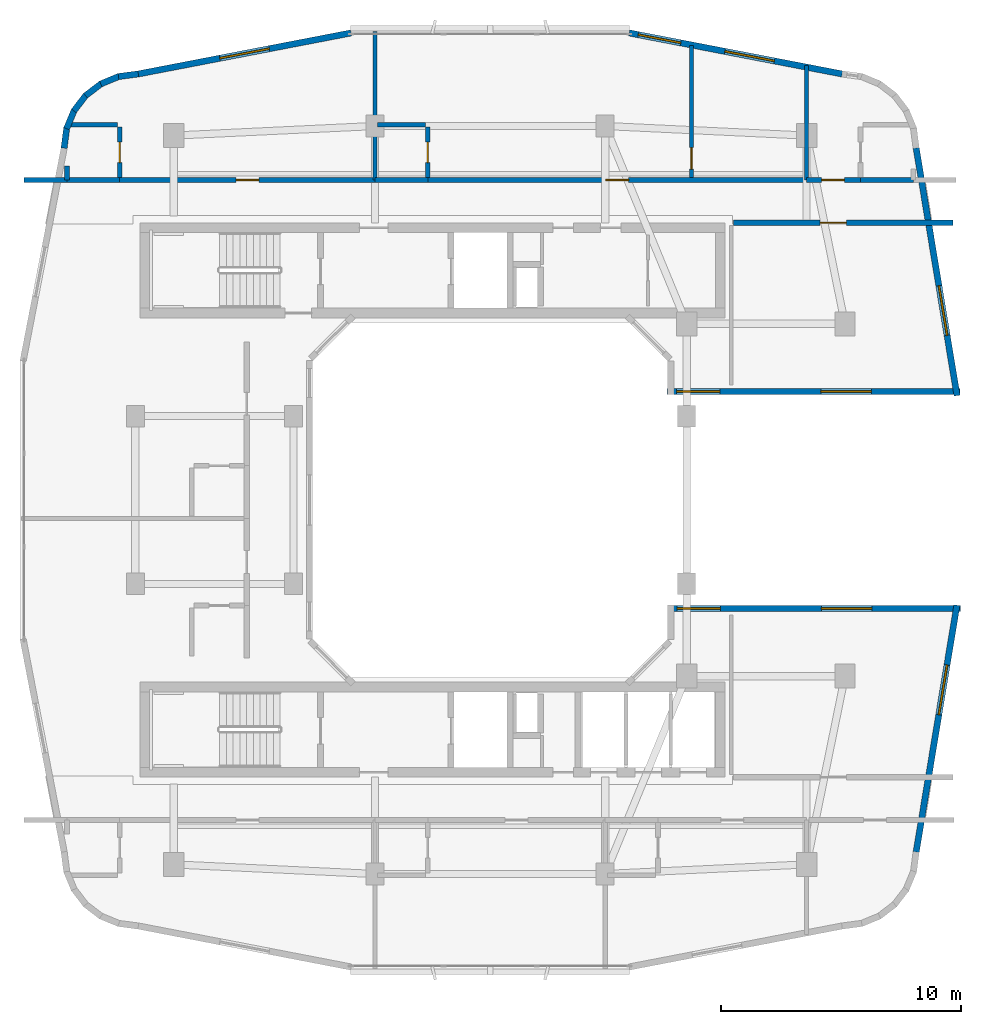
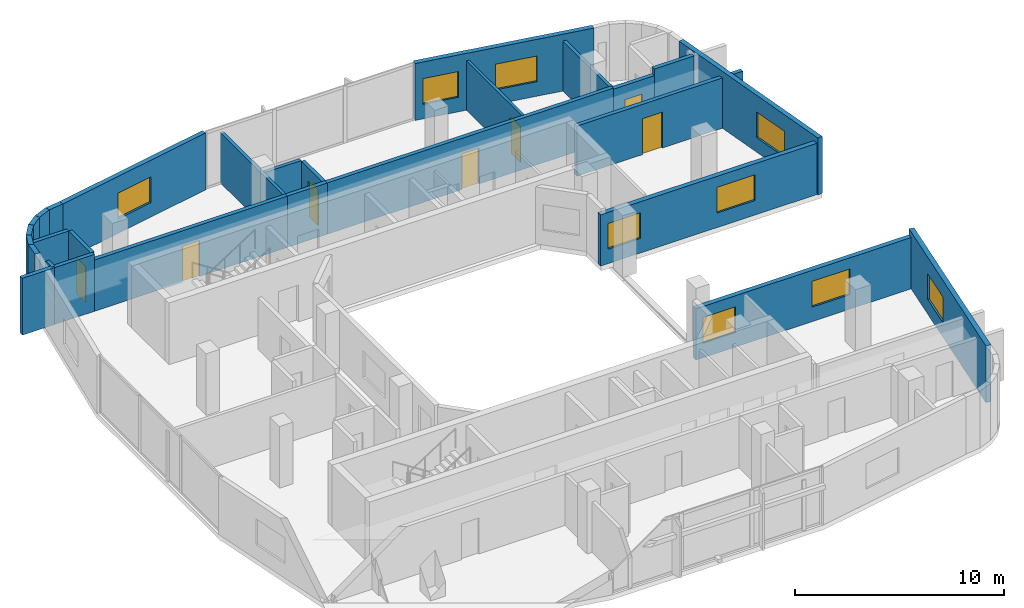
# One storey, part 7 of 12: 28 walls, 9 windows, 7 doors, 16 openings.
"""IFC4 building model written with IfcOpenShell, lengths in metres."""

from ifc_helpers import new_model, si_unit, derived_unit, direction, frame, frame_2d, origin, place, context, subcontext, project, spatial, rectangle, extrude, material, layer, layer_set, type_object, element, fill, save


model = new_model("IFC4")

# Units and contexts
model_context = context("Model", 3, precision=1e-05, world=origin(), true_north=direction((0.0, 1.0)))
body_context = subcontext(model_context, "Body", "Model", "MODEL_VIEW")
ifc_project = project(units=[si_unit("LENGTHUNIT", "METRE"), si_unit("AREAUNIT", "SQUARE_METRE"), si_unit("VOLUMEUNIT", "CUBIC_METRE"), si_unit("PLANEANGLEUNIT", "RADIAN"), si_unit("MASSUNIT", "GRAM", prefix="KILO"), derived_unit("THERMALTRANSMITTANCEUNIT", [(si_unit("POWERUNIT", "WATT"), 1), (si_unit("LENGTHUNIT", "METRE"), -2), (si_unit("THERMODYNAMICTEMPERATUREUNIT", "KELVIN"), -1)])], contexts=[model_context])

# Site, building, storey
site_placement = place(None, origin())
site = spatial("IfcSite", under=ifc_project, at=site_placement, CompositionType="ELEMENT")
building_placement = place(site_placement, origin())
building = spatial("IfcBuilding", under=site, at=building_placement, Name="Kivonza Crest Hotel", CompositionType="ELEMENT")
storey_placement = place(building_placement, frame((0.0, 0.0, 181.10009765625)))
storey = spatial("IfcBuildingStorey", under=building, at=storey_placement, Name="L49", CompositionType="ELEMENT", Elevation=181.10009765625)

# Walls
ifc_material_1 = material(Name="High-density acoustic masonry inter-tenancy wall", Category="masonry")
ifc_layer_1 = layer(ifc_material_1, 0.179931640625)
ifc_layer_set_1 = layer_set([ifc_layer_1], Name="High-density acoustic masonry inter-tenancy wall")
wall_type_1 = type_object("IfcWallType", Name="WL-ACOU-180", PredefinedType="SOLIDWALL", material=ifc_layer_set_1)
wall_1_placement = place(storey_placement, frame((16.199951171875, 38.35009765625, 0.0), z_axis=(0.0, 0.0, 1.0), x_axis=(0.0, 1.0, 0.0)))
element("IfcWall", 1, at=wall_1_placement, inside=storey, type_object=wall_type_1, Name="L49 interior partition WA-L49-T1N-DIV1", PredefinedType="SOLIDWALL", context=body_context, shape_type="SweptSolid", body=[
    extrude(rectangle(XDim=6.18994140625, YDim=0.179931640625, at=frame_2d((3.094970703125, 0.0))), origin(), (0.0, 0.0, 1.0), 2.934814453125),
])
wall_2_placement = place(storey_placement, frame((34.199951171875, 38.35009765625, 0.0), z_axis=(0.0, 0.0, 1.0), x_axis=(0.0, 1.0, 0.0)))
element("IfcWall", 2, at=wall_2_placement, inside=storey, type_object=wall_type_1, Name="L49 interior partition WA-L49-T1N-DIV2", PredefinedType="SOLIDWALL", context=body_context, shape_type="SweptSolid", body=[
    extrude(rectangle(XDim=4.77783203125, YDim=0.179931640625, at=frame_2d((2.388916015625, 0.0))), origin(), (0.0, 0.0, 1.0), 2.934814453125),
])
ifc_material_2 = material(Name="Autoclaved aerated concrete blockwork", Category="masonry")
ifc_layer_2 = layer(ifc_material_2, 0.219970703125)
ifc_layer_set_2 = layer_set([ifc_layer_2], Name="Autoclaved aerated concrete blockwork")
wall_type_2 = type_object("IfcWallType", Name="WL-ACOU-220", PredefinedType="SOLIDWALL", material=ifc_layer_set_2)
wall_3_placement = place(storey_placement, frame((1.56005859375, 38.35009765625, 0.0), z_axis=(0.0, 0.0, 1.0), x_axis=(1.0, 0.0, 0.0)))
element("IfcWall", 3, at=wall_3_placement, inside=storey, type_object=wall_type_2, Name="L49 interior partition WA-L49-N01-XCORR", PredefinedType="SOLIDWALL", context=body_context, shape_type="SweptSolid", body=[
    extrude(rectangle(XDim=1.7900390625, YDim=0.219970703125, at=frame_2d((0.89501953125, 0.0))), origin(), (0.0, 0.0, 1.0), 3.31982421875),
])
wall_4_placement = place(storey_placement, frame((3.35009765625, 38.35009765625, 0.0), z_axis=(0.0, 0.0, 1.0), x_axis=(1.0, 0.0, 0.0)))
element("IfcWall", 4, at=wall_4_placement, inside=storey, type_object=wall_type_2, Name="L49 interior partition WA-L49-N01-BCORR", PredefinedType="SOLIDWALL", context=body_context, shape_type="SweptSolid", body=[
    extrude(rectangle(XDim=2.199951171875, YDim=0.219970703125, at=frame_2d((1.10009765625, 0.0))), origin(), (0.0, 0.0, 1.0), 3.31982421875),
])

# Wall, opening, door
wall_5_placement = place(storey_placement, frame((5.550048828125, 38.35009765625, 0.0), z_axis=(0.0, 0.0, 1.0), x_axis=(1.0, 0.0, 0.0)))
wall_5 = element("IfcWall", 5, at=wall_5_placement, inside=storey, type_object=wall_type_2, Name="L49 interior partition WA-L49-N01-MCORR", PredefinedType="SOLIDWALL", context=body_context, shape_type="SweptSolid", body=[
    extrude(rectangle(XDim=10.64990234375, YDim=0.219970703125, at=frame_2d((5.324951171875, 0.0))), origin(), (0.0, 0.0, 1.0), 2.994873046875),
])
opening_1_placement = place(wall_5_placement, frame((4.85009765625, 0.0, 0.0)))
opening_1 = element("IfcOpeningElement", 6, at=opening_1_placement, cuts=wall_5, Name="Opening DU-60", PredefinedType="OPENING", context=body_context, shape_type="SweptSolid", body=[
    extrude(rectangle(XDim=0.949951171875, YDim=2.10009765625, at=frame_2d((0.47509765625, 1.050048828125))), frame((0.0, 0.1201171875, 0.0), z_axis=(0.0, -1.0, 0.0), x_axis=(1.0, 0.0, 0.0)), (0.0, 0.0, 1.0), 0.239990234375),
])
ifc_material_3 = material(Name="Hardwood timber oak", Category="wood")
door_type_1 = type_object("IfcDoorType", Name="DR-UNIT-950", OperationType="NOTDEFINED", PredefinedType="DOOR", material=ifc_material_3)
door_1_placement = place(opening_1_placement, origin())
door_1 = element("IfcDoor", 7, at=door_1_placement, inside=storey, type_object=door_type_1, Name="L49 N01 guest unit entrance fire door", OperationType="SINGLE_SWING_LEFT", OverallHeight=2.10009765625, OverallWidth=0.949951171875, PredefinedType="DOOR", context=body_context, shape_type="SweptSolid", body=[
    extrude(rectangle(XDim=0.949951171875, YDim=2.10009765625, at=frame_2d((0.47509765625, 1.050048828125))), frame((0.0, 0.02490234375, 0.0), z_axis=(0.0, -1.0, 0.0), x_axis=(1.0, 0.0, 0.0)), (0.0, 0.0, 1.0), 0.050048828125),
])
fill(opening_1, door_1)

# Wall
wall_6_placement = place(storey_placement, frame((16.199951171875, 38.35009765625, 0.0), z_axis=(0.0, 0.0, 1.0), x_axis=(1.0, 0.0, 0.0)))
element("IfcWall", 8, at=wall_6_placement, inside=storey, type_object=wall_type_2, Name="L49 interior partition WA-L49-N02-BCORR", PredefinedType="SOLIDWALL", context=body_context, shape_type="SweptSolid", body=[
    extrude(rectangle(XDim=2.199951171875, YDim=0.219970703125, at=frame_2d((1.10009765625, 0.0))), origin(), (0.0, 0.0, 1.0), 2.994873046875),
])

# Wall, opening, door
wall_7_placement = place(storey_placement, frame((18.39990234375, 38.35009765625, 0.0), z_axis=(0.0, 0.0, 1.0), x_axis=(1.0, 0.0, 0.0)))
wall_7 = element("IfcWall", 9, at=wall_7_placement, inside=storey, type_object=wall_type_2, Name="L49 interior partition WA-L49-N02-MCORR", PredefinedType="SOLIDWALL", context=body_context, shape_type="SweptSolid", body=[
    extrude(rectangle(XDim=15.800048828125, YDim=0.219970703125, at=frame_2d((7.89990234375, 0.0))), origin(), (0.0, 0.0, 1.0), 2.994873046875),
])
opening_2_placement = place(wall_7_placement, frame((7.425048828125, 0.0, 0.0)))
opening_2 = element("IfcOpeningElement", 10, at=opening_2_placement, cuts=wall_7, Name="Opening DU-60", PredefinedType="OPENING", context=body_context, shape_type="SweptSolid", body=[
    extrude(rectangle(XDim=0.949951171875, YDim=2.10009765625, at=frame_2d((0.47509765625, 1.050048828125))), frame((0.0, 0.1201171875, 0.0), z_axis=(0.0, -1.0, 0.0), x_axis=(1.0, 0.0, 0.0)), (0.0, 0.0, 1.0), 0.239990234375),
])
door_2_placement = place(opening_2_placement, origin())
door_2 = element("IfcDoor", 11, at=door_2_placement, inside=storey, type_object=door_type_1, Name="L49 N02 guest unit entrance fire door", OperationType="SINGLE_SWING_RIGHT", OverallHeight=2.10009765625, OverallWidth=0.949951171875, PredefinedType="DOOR", context=body_context, shape_type="SweptSolid", body=[
    extrude(rectangle(XDim=0.949951171875, YDim=2.10009765625, at=frame_2d((0.47509765625, 1.050048828125))), frame((0.0, 0.02490234375, 0.0), z_axis=(0.0, -1.0, 0.0), x_axis=(1.0, 0.0, 0.0)), (0.0, 0.0, 1.0), 0.050048828125),
])
fill(opening_2, door_2)

# Wall
wall_8_placement = place(storey_placement, frame((36.449951171875, 38.35009765625, 0.0), z_axis=(0.0, 0.0, 1.0), x_axis=(1.0, 0.0, 0.0)))
element("IfcWall", 12, at=wall_8_placement, inside=storey, type_object=wall_type_2, Name="L49 interior partition WA-L49-N03-BCORR", PredefinedType="SOLIDWALL", context=body_context, shape_type="SweptSolid", body=[
    extrude(rectangle(XDim=2.199951171875, YDim=0.219970703125, at=frame_2d((1.10009765625, 0.0))), origin(), (0.0, 0.0, 1.0), 3.31982421875),
])

# Wall, opening, door
wall_9_placement = place(storey_placement, frame((34.199951171875, 38.35009765625, 0.0), z_axis=(0.0, 0.0, 1.0), x_axis=(1.0, 0.0, 0.0)))
wall_9 = element("IfcWall", 13, at=wall_9_placement, inside=storey, type_object=wall_type_2, Name="L49 interior partition WA-L49-N03-MCORR", PredefinedType="SOLIDWALL", context=body_context, shape_type="SweptSolid", body=[
    extrude(rectangle(XDim=2.25, YDim=0.219970703125, at=frame_2d((1.125, 0.0))), origin(), (0.0, 0.0, 1.0), 2.934814453125),
])
opening_3_placement = place(wall_9_placement, frame((0.6298828125, 0.0, 0.0)))
opening_3 = element("IfcOpeningElement", 14, at=opening_3_placement, cuts=wall_9, Name="Opening DU-60", PredefinedType="OPENING", context=body_context, shape_type="SweptSolid", body=[
    extrude(rectangle(XDim=0.949951171875, YDim=2.10009765625, at=frame_2d((0.47509765625, 1.050048828125))), frame((0.0, 0.1201171875, 0.0), z_axis=(0.0, -1.0, 0.0), x_axis=(1.0, 0.0, 0.0)), (0.0, 0.0, 1.0), 0.239990234375),
])
door_3_placement = place(opening_3_placement, origin())
door_3 = element("IfcDoor", 15, at=door_3_placement, inside=storey, type_object=door_type_1, Name="L49 N03 guest unit entrance fire door", OperationType="SINGLE_SWING_LEFT", OverallHeight=2.10009765625, OverallWidth=0.949951171875, PredefinedType="DOOR", context=body_context, shape_type="SweptSolid", body=[
    extrude(rectangle(XDim=0.949951171875, YDim=2.10009765625, at=frame_2d((0.47509765625, 1.050048828125))), frame((0.0, 0.02490234375, 0.0), z_axis=(0.0, -1.0, 0.0), x_axis=(1.0, 0.0, 0.0)), (0.0, 0.0, 1.0), 0.050048828125),
])
fill(opening_3, door_3)

wall_10_placement = place(storey_placement, frame((31.14990234375, 36.56005859375, 0.0), z_axis=(0.0, 0.0, 1.0), x_axis=(1.0, 0.0, 0.0)))
wall_10 = element("IfcWall", 16, at=wall_10_placement, inside=storey, type_object=wall_type_2, Name="L49 interior partition WA-L49-EP2-N", PredefinedType="SOLIDWALL", context=body_context, shape_type="SweptSolid", body=[
    extrude(rectangle(XDim=9.150146484375, YDim=0.219970703125, at=frame_2d((4.5751953125, 0.0))), origin(), (0.0, 0.0, 1.0), 2.934814453125),
])
opening_4_placement = place(wall_10_placement, frame((3.612060546875, 0.0, 0.0)))
opening_4 = element("IfcOpeningElement", 17, at=opening_4_placement, cuts=wall_10, Name="Opening DF-60M", PredefinedType="OPENING", context=body_context, shape_type="SweptSolid", body=[
    extrude(rectangle(XDim=1.10009765625, YDim=2.10009765625, at=frame_2d((0.550048828125, 1.050048828125))), frame((0.0, 0.1201171875, 0.0), z_axis=(0.0, -1.0, 0.0), x_axis=(1.0, 0.0, 0.0)), (0.0, 0.0, 1.0), 0.239990234375),
])
door_type_2 = type_object("IfcDoorType", Name="DR-FD60-1100", OperationType="NOTDEFINED", PredefinedType="DOOR", material=ifc_material_3)
door_4_placement = place(opening_4_placement, frame((1.10009765625, 0.0, 0.0), z_axis=(0.0, 0.0, 1.0), x_axis=(-1.0, 0.0, 0.0)))
door_4 = element("IfcDoor", 18, at=door_4_placement, inside=storey, type_object=door_type_2, Name="L49 North Portal Sky Salon door", OperationType="SINGLE_SWING_LEFT", OverallHeight=2.10009765625, OverallWidth=1.10009765625, PredefinedType="DOOR", context=body_context, shape_type="SweptSolid", body=[
    extrude(rectangle(XDim=1.10009765625, YDim=2.10009765625, at=frame_2d((0.550048828125, 1.050048828125))), frame((0.0, 0.02490234375, 0.0), z_axis=(0.0, -1.0, 0.0), x_axis=(1.0, 0.0, 0.0)), (0.0, 0.0, 1.0), 0.050048828125),
])
fill(opening_4, door_4)

# Wall, opening, window
ifc_material_4 = material(Name="Precast concrete C40/50", Category="concrete")
ifc_layer_3 = layer(ifc_material_4, 0.260009765625)
ifc_layer_set_3 = layer_set([ifc_layer_3], Name="Precast concrete C40/50")
wall_type_3 = type_object("IfcWallType", Name="WL-EXT-260", PredefinedType="STANDARD", material=ifc_layer_set_3)
wall_11_placement = place(storey_placement, frame((38.77099609375, 10.31298828125, 0.0), z_axis=(0.0, 0.0, 1.0), x_axis=(0.16277908586, 0.986662540693, 0.0)))
wall_11 = element("IfcWall", 19, at=wall_11_placement, inside=storey, type_object=wall_type_3, Name="L49 T1 exterior insulated wall 16", PredefinedType="STANDARD", context=body_context, shape_type="SweptSolid", body=[
    extrude(rectangle(XDim=10.437255859375, YDim=0.260009765625, at=frame_2d((5.21875, 0.0))), origin(), (0.0, 0.0, 1.0), 3.31982421875),
])
opening_5_placement = place(wall_11_placement, frame((5.81005859375, 0.0, 0.85009765625)))
opening_5 = element("IfcOpeningElement", 20, at=opening_5_placement, cuts=wall_11, Name="Opening WN-04", PredefinedType="OPENING", context=body_context, shape_type="SweptSolid", body=[
    extrude(rectangle(XDim=2.10009765625, YDim=1.5, at=frame_2d((1.050048828125, 0.75))), frame((0.0, 0.14013671875, 0.0), z_axis=(0.0, -1.0, 0.0), x_axis=(1.0, 0.0, 0.0)), (0.0, 0.0, 1.0), 0.280029296875),
])
ifc_material_5 = material(Name="Thermally broken bronze aluminium and low-E double glazing", Category="aluminium")
window_type_1 = type_object("IfcWindowType", Name="WN-210x150", PartitioningType="DOUBLE_PANEL_VERTICAL", PredefinedType="WINDOW", material=ifc_material_5)
window_1_placement = place(opening_5_placement, origin())
window_1 = element("IfcWindow", 21, at=window_1_placement, inside=storey, type_object=window_type_1, Name="L49 T1 facade window 16", OverallHeight=1.5, OverallWidth=2.10009765625, PartitioningType="SINGLE_PANEL", PredefinedType="WINDOW", context=body_context, shape_type="SweptSolid", body=[
    extrude(rectangle(XDim=2.10009765625, YDim=1.5, at=frame_2d((1.050048828125, 0.75))), frame((0.0, 0.030029296875, 0.0), z_axis=(0.0, -1.0, 0.0), x_axis=(1.0, 0.0, 0.0)), (0.0, 0.0, 1.0), 0.06005859375),
])
fill(opening_5, window_1)

# Wall, openings, windows
wall_12_placement = place(storey_placement, frame((40.625, 20.469970703125, 0.0), z_axis=(0.0, 0.0, 1.0), x_axis=(-1.0, 0.0, 0.0)))
wall_12 = element("IfcWall", 22, at=wall_12_placement, inside=storey, type_object=wall_type_3, Name="L49 T1 exterior insulated wall 17", PredefinedType="STANDARD", context=body_context, shape_type="SweptSolid", body=[
    extrude(rectangle(XDim=12.215087890625, YDim=0.260009765625, at=frame_2d((6.107421875, 0.0))), origin(), (0.0, 0.0, 1.0), 2.994873046875),
])
opening_6_placement = place(wall_12_placement, frame((3.70703125, 0.0, 0.85009765625)))
opening_6 = element("IfcOpeningElement", 23, at=opening_6_placement, cuts=wall_12, Name="Opening WN-04", PredefinedType="OPENING", context=body_context, shape_type="SweptSolid", body=[
    extrude(rectangle(XDim=2.10009765625, YDim=1.5, at=frame_2d((1.050048828125, 0.75))), frame((0.0, 0.14013671875, 0.0), z_axis=(0.0, -1.0, 0.0), x_axis=(1.0, 0.0, 0.0)), (0.0, 0.0, 1.0), 0.280029296875),
])
opening_7_placement = place(wall_12_placement, frame((10.02490234375, 0.0, 0.85009765625)))
opening_7 = element("IfcOpeningElement", 24, at=opening_7_placement, cuts=wall_12, Name="Opening WN-03", PredefinedType="OPENING", context=body_context, shape_type="SweptSolid", body=[
    extrude(rectangle(XDim=1.800048828125, YDim=1.5, at=frame_2d((0.89990234375, 0.75))), frame((0.0, 0.14013671875, 0.0), z_axis=(0.0, -1.0, 0.0), x_axis=(1.0, 0.0, 0.0)), (0.0, 0.0, 1.0), 0.280029296875),
])
window_type_2 = type_object("IfcWindowType", Name="WN-180x150", PartitioningType="DOUBLE_PANEL_VERTICAL", PredefinedType="WINDOW", material=ifc_material_5)
window_2_placement = place(opening_7_placement, origin())
window_2 = element("IfcWindow", 25, at=window_2_placement, inside=storey, type_object=window_type_2, Name="L49 T1 facade window 17 bay 2", OverallHeight=1.5, OverallWidth=1.800048828125, PartitioningType="SINGLE_PANEL", PredefinedType="WINDOW", context=body_context, shape_type="SweptSolid", body=[
    extrude(rectangle(XDim=1.800048828125, YDim=1.5, at=frame_2d((0.89990234375, 0.75))), frame((0.0, 0.030029296875, 0.0), z_axis=(0.0, -1.0, 0.0), x_axis=(1.0, 0.0, 0.0)), (0.0, 0.0, 1.0), 0.06005859375),
])
fill(opening_7, window_2)
window_3_placement = place(opening_6_placement, origin())
window_3 = element("IfcWindow", 26, at=window_3_placement, inside=storey, type_object=window_type_1, Name="L49 T1 facade window 17 bay 1", OverallHeight=1.5, OverallWidth=2.10009765625, PartitioningType="SINGLE_PANEL", PredefinedType="WINDOW", context=body_context, shape_type="SweptSolid", body=[
    extrude(rectangle(XDim=2.10009765625, YDim=1.5, at=frame_2d((1.050048828125, 0.75))), frame((0.0, 0.030029296875, 0.0), z_axis=(0.0, -1.0, 0.0), x_axis=(1.0, 0.0, 0.0)), (0.0, 0.0, 1.0), 0.06005859375),
])
fill(opening_6, window_3)

wall_13_placement = place(storey_placement, frame((28.375, 29.530029296875, 0.0), z_axis=(0.0, 0.0, 1.0), x_axis=(1.0, 0.0, 0.0)))
wall_13 = element("IfcWall", 27, at=wall_13_placement, inside=storey, type_object=wall_type_3, Name="L49 T1 exterior insulated wall 27", PredefinedType="STANDARD", context=body_context, shape_type="SweptSolid", body=[
    extrude(rectangle(XDim=12.215087890625, YDim=0.260009765625, at=frame_2d((6.107421875, 0.0))), origin(), (0.0, 0.0, 1.0), 2.994873046875),
])
opening_8_placement = place(wall_13_placement, frame((0.407958984375, 0.0, 0.85009765625)))
opening_8 = element("IfcOpeningElement", 28, at=opening_8_placement, cuts=wall_13, Name="Opening WN-03", PredefinedType="OPENING", context=body_context, shape_type="SweptSolid", body=[
    extrude(rectangle(XDim=1.800048828125, YDim=1.5, at=frame_2d((0.89990234375, 0.75))), frame((0.0, 0.14013671875, 0.0), z_axis=(0.0, -1.0, 0.0), x_axis=(1.0, 0.0, 0.0)), (0.0, 0.0, 1.0), 0.280029296875),
])
opening_9_placement = place(wall_13_placement, frame((6.425048828125, 0.0, 0.85009765625)))
opening_9 = element("IfcOpeningElement", 29, at=opening_9_placement, cuts=wall_13, Name="Opening WN-04", PredefinedType="OPENING", context=body_context, shape_type="SweptSolid", body=[
    extrude(rectangle(XDim=2.10009765625, YDim=1.5, at=frame_2d((1.050048828125, 0.75))), frame((0.0, 0.14013671875, 0.0), z_axis=(0.0, -1.0, 0.0), x_axis=(1.0, 0.0, 0.0)), (0.0, 0.0, 1.0), 0.280029296875),
])
window_4_placement = place(opening_8_placement, origin())
window_4 = element("IfcWindow", 30, at=window_4_placement, inside=storey, type_object=window_type_2, Name="L49 T1 facade window 27 bay 1", OverallHeight=1.5, OverallWidth=1.800048828125, PartitioningType="SINGLE_PANEL", PredefinedType="WINDOW", context=body_context, shape_type="SweptSolid", body=[
    extrude(rectangle(XDim=1.800048828125, YDim=1.5, at=frame_2d((0.89990234375, 0.75))), frame((0.0, 0.030029296875, 0.0), z_axis=(0.0, -1.0, 0.0), x_axis=(1.0, 0.0, 0.0)), (0.0, 0.0, 1.0), 0.06005859375),
])
fill(opening_8, window_4)
window_5_placement = place(opening_9_placement, origin())
window_5 = element("IfcWindow", 31, at=window_5_placement, inside=storey, type_object=window_type_1, Name="L49 T1 facade window 27 bay 2", OverallHeight=1.5, OverallWidth=2.10009765625, PartitioningType="SINGLE_PANEL", PredefinedType="WINDOW", context=body_context, shape_type="SweptSolid", body=[
    extrude(rectangle(XDim=2.10009765625, YDim=1.5, at=frame_2d((1.050048828125, 0.75))), frame((0.0, 0.030029296875, 0.0), z_axis=(0.0, -1.0, 0.0), x_axis=(1.0, 0.0, 0.0)), (0.0, 0.0, 1.0), 0.06005859375),
])
fill(opening_9, window_5)

# Wall, opening, window
wall_14_placement = place(storey_placement, frame((40.47607421875, 29.35400390625, 0.0), z_axis=(0.0, 0.0, 1.0), x_axis=(-0.162811037825, 0.986657268742, 0.0)))
wall_14 = element("IfcWall", 32, at=wall_14_placement, inside=storey, type_object=wall_type_3, Name="L49 T1 exterior insulated wall 28", PredefinedType="STANDARD", context=body_context, shape_type="SweptSolid", body=[
    extrude(rectangle(XDim=10.47265625, YDim=0.260009765625, at=frame_2d((5.236328125, 0.0))), origin(), (0.0, 0.0, 1.0), 3.31982421875),
])
opening_10_placement = place(wall_14_placement, frame((2.544921875, 0.0, 0.85009765625)))
opening_10 = element("IfcOpeningElement", 33, at=opening_10_placement, cuts=wall_14, Name="Opening WN-04", PredefinedType="OPENING", context=body_context, shape_type="SweptSolid", body=[
    extrude(rectangle(XDim=2.10009765625, YDim=1.5, at=frame_2d((1.050048828125, 0.75))), frame((0.0, 0.14013671875, 0.0), z_axis=(0.0, -1.0, 0.0), x_axis=(1.0, 0.0, 0.0)), (0.0, 0.0, 1.0), 0.280029296875),
])
window_6_placement = place(opening_10_placement, origin())
window_6 = element("IfcWindow", 34, at=window_6_placement, inside=storey, type_object=window_type_1, Name="L49 T1 facade window 28", OverallHeight=1.5, OverallWidth=2.10009765625, PartitioningType="SINGLE_PANEL", PredefinedType="WINDOW", context=body_context, shape_type="SweptSolid", body=[
    extrude(rectangle(XDim=2.10009765625, YDim=1.5, at=frame_2d((1.050048828125, 0.75))), frame((0.0, 0.030029296875, 0.0), z_axis=(0.0, -1.0, 0.0), x_axis=(1.0, 0.0, 0.0)), (0.0, 0.0, 1.0), 0.06005859375),
])
fill(opening_10, window_6)

# Wall, openings, windows
wall_15_placement = place(storey_placement, frame((35.68310546875, 42.77001953125, 0.0), z_axis=(0.0, 0.0, 1.0), x_axis=(-0.98192801022, 0.189254809039, 0.0)))
wall_15 = element("IfcWall", 35, at=wall_15_placement, inside=storey, type_object=wall_type_3, Name="L49 T1 exterior insulated wall 35", PredefinedType="STANDARD", context=body_context, shape_type="SweptSolid", body=[
    extrude(rectangle(XDim=9.045654296875, YDim=0.260009765625, at=frame_2d((4.52294921875, 0.0))), origin(), (0.0, 0.0, 1.0), 3.31982421875),
])
opening_11_placement = place(wall_15_placement, frame((2.8798828125, 0.0, 0.85009765625)))
opening_11 = element("IfcOpeningElement", 36, at=opening_11_placement, cuts=wall_15, Name="Opening WN-04", PredefinedType="OPENING", context=body_context, shape_type="SweptSolid", body=[
    extrude(rectangle(XDim=2.10009765625, YDim=1.5, at=frame_2d((1.050048828125, 0.75))), frame((0.0, 0.14013671875, 0.0), z_axis=(0.0, -1.0, 0.0), x_axis=(1.0, 0.0, 0.0)), (0.0, 0.0, 1.0), 0.280029296875),
])
opening_12_placement = place(wall_15_placement, frame((6.85888671875, 0.0, 0.85009765625)))
opening_12 = element("IfcOpeningElement", 37, at=opening_12_placement, cuts=wall_15, Name="Opening WN-03", PredefinedType="OPENING", context=body_context, shape_type="SweptSolid", body=[
    extrude(rectangle(XDim=1.800048828125, YDim=1.5, at=frame_2d((0.89990234375, 0.75))), frame((0.0, 0.14013671875, 0.0), z_axis=(0.0, -1.0, 0.0), x_axis=(1.0, 0.0, 0.0)), (0.0, 0.0, 1.0), 0.280029296875),
])
window_7_placement = place(opening_12_placement, origin())
window_7 = element("IfcWindow", 38, at=window_7_placement, inside=storey, type_object=window_type_2, Name="L49 T1 facade window 35 bay 2", OverallHeight=1.5, OverallWidth=1.800048828125, PartitioningType="SINGLE_PANEL", PredefinedType="WINDOW", context=body_context, shape_type="SweptSolid", body=[
    extrude(rectangle(XDim=1.800048828125, YDim=1.5, at=frame_2d((0.89990234375, 0.75))), frame((0.0, 0.030029296875, 0.0), z_axis=(0.0, -1.0, 0.0), x_axis=(1.0, 0.0, 0.0)), (0.0, 0.0, 1.0), 0.06005859375),
])
fill(opening_12, window_7)
window_8_placement = place(opening_11_placement, origin())
window_8 = element("IfcWindow", 39, at=window_8_placement, inside=storey, type_object=window_type_1, Name="L49 T1 facade window 35 bay 1", OverallHeight=1.5, OverallWidth=2.10009765625, PartitioningType="SINGLE_PANEL", PredefinedType="WINDOW", context=body_context, shape_type="SweptSolid", body=[
    extrude(rectangle(XDim=2.10009765625, YDim=1.5, at=frame_2d((1.050048828125, 0.75))), frame((0.0, 0.030029296875, 0.0), z_axis=(0.0, -1.0, 0.0), x_axis=(1.0, 0.0, 0.0)), (0.0, 0.0, 1.0), 0.06005859375),
])
fill(opening_11, window_8)

# Wall, opening, window
wall_16_placement = place(storey_placement, frame((15.198974609375, 44.48193359375, 0.0), z_axis=(0.0, 0.0, 1.0), x_axis=(-0.98192801022, -0.189254809039, 0.0)))
wall_16 = element("IfcWall", 40, at=wall_16_placement, inside=storey, type_object=wall_type_3, Name="L49 T1 exterior insulated wall 37", PredefinedType="STANDARD", context=body_context, shape_type="SweptSolid", body=[
    extrude(rectangle(XDim=9.045654296875, YDim=0.260009765625, at=frame_2d((4.52294921875, 0.0))), origin(), (0.0, 0.0, 1.0), 3.31982421875),
])
opening_13_placement = place(wall_16_placement, frame((3.472900390625, 0.0, 0.85009765625)))
opening_13 = element("IfcOpeningElement", 41, at=opening_13_placement, cuts=wall_16, Name="Opening WN-04", PredefinedType="OPENING", context=body_context, shape_type="SweptSolid", body=[
    extrude(rectangle(XDim=2.10009765625, YDim=1.5, at=frame_2d((1.050048828125, 0.75))), frame((0.0, 0.14013671875, 0.0), z_axis=(0.0, -1.0, 0.0), x_axis=(1.0, 0.0, 0.0)), (0.0, 0.0, 1.0), 0.280029296875),
])
window_9_placement = place(opening_13_placement, origin())
window_9 = element("IfcWindow", 42, at=window_9_placement, inside=storey, type_object=window_type_1, Name="L49 T1 facade window 37", OverallHeight=1.5, OverallWidth=2.10009765625, PartitioningType="SINGLE_PANEL", PredefinedType="WINDOW", context=body_context, shape_type="SweptSolid", body=[
    extrude(rectangle(XDim=2.10009765625, YDim=1.5, at=frame_2d((1.050048828125, 0.75))), frame((0.0, 0.030029296875, 0.0), z_axis=(0.0, -1.0, 0.0), x_axis=(1.0, 0.0, 0.0)), (0.0, 0.0, 1.0), 0.06005859375),
])
fill(opening_13, window_9)

# Walls
wall_17_placement = place(storey_placement, frame((6.324951171875, 42.77197265625, 0.0), z_axis=(0.0, 0.0, 1.0), x_axis=(-0.99142134712, -0.130704676564, 0.0)))
element("IfcWall", 43, at=wall_17_placement, inside=storey, type_object=wall_type_3, Name="L49 T1 exterior insulated wall 38", PredefinedType="STANDARD", context=body_context, shape_type="SweptSolid", body=[
    extrude(rectangle(XDim=0.8330078125, YDim=0.260009765625, at=frame_2d((0.41650390625, 0.0))), origin(), (0.0, 0.0, 1.0), 3.31982421875),
])
wall_18_placement = place(storey_placement, frame((5.544921875, 42.680908203125, 0.0), z_axis=(0.0, 0.0, 1.0), x_axis=(-0.923712395518, -0.383086687796, 0.0)))
element("IfcWall", 44, at=wall_18_placement, inside=storey, type_object=wall_type_3, Name="L49 T1 exterior insulated wall 39", PredefinedType="STANDARD", context=body_context, shape_type="SweptSolid", body=[
    extrude(rectangle(XDim=0.850830078125, YDim=0.260009765625, at=frame_2d((0.42529296875, 0.0))), origin(), (0.0, 0.0, 1.0), 3.31982421875),
])
for number, where, z_axis, x_axis, name in (
    (45, (4.799072265625, 42.383056640625, 0.0), (0.0, 0.0, 1.0), (-0.793860452124, -0.608099977432, 0.0), "L49 T1 exterior insulated wall 40"),
    (46, (4.155029296875, 41.904052734375, 0.0), (0.0, 0.0, 1.0), (-0.608099977432, -0.793860452124, 0.0), "L49 T1 exterior insulated wall 41"),
):
    element("IfcWall", number, at=place(storey_placement, frame(where, z_axis=z_axis, x_axis=x_axis)), inside=storey, type_object=wall_type_3, Name=name, PredefinedType="STANDARD", context=body_context, shape_type="SweptSolid", body=[
        extrude(rectangle(XDim=0.850341796875, YDim=0.260009765625, at=frame_2d((0.42529296875, 0.0))), origin(), (0.0, 0.0, 1.0), 3.31982421875),
    ])
wall_19_placement = place(storey_placement, frame((3.658935546875, 41.27294921875, 0.0), z_axis=(0.0, 0.0, 1.0), x_axis=(-0.383086687796, -0.923712395518, 0.0)))
element("IfcWall", 47, at=wall_19_placement, inside=storey, type_object=wall_type_3, Name="L49 T1 exterior insulated wall 42", PredefinedType="STANDARD", context=body_context, shape_type="SweptSolid", body=[
    extrude(rectangle(XDim=0.850830078125, YDim=0.260009765625, at=frame_2d((0.42529296875, 0.0))), origin(), (0.0, 0.0, 1.0), 3.31982421875),
])
wall_20_placement = place(storey_placement, frame((3.341064453125, 40.535888671875, 0.0), z_axis=(0.0, 0.0, 1.0), x_axis=(-0.130192647656, -0.991488716273, 0.0)))
element("IfcWall", 48, at=wall_20_placement, inside=storey, type_object=wall_type_3, Name="L49 T1 exterior insulated wall 43", PredefinedType="STANDARD", context=body_context, shape_type="SweptSolid", body=[
    extrude(rectangle(XDim=0.8681640625, YDim=0.260009765625, at=frame_2d((0.43408203125, 0.0))), origin(), (0.0, 0.0, 1.0), 3.31982421875),
])

# Wall, opening, door
ifc_material_6 = material(Name="Twin-stud acoustic gypsum board partition", Category="gypsum")
ifc_layer_4 = layer(ifc_material_6, 0.14990234375)
ifc_layer_set_4 = layer_set([ifc_layer_4], Name="Twin-stud acoustic gypsum board partition")
wall_type_4 = type_object("IfcWallType", Name="WL-PART-150", PredefinedType="PARTITIONING", material=ifc_layer_set_4)
wall_21_placement = place(storey_placement, frame((29.39990234375, 38.449951171875, 0.0), z_axis=(0.0, 0.0, 1.0), x_axis=(0.0, 1.0, 0.0)))
wall_21 = element("IfcWall", 49, at=wall_21_placement, inside=storey, type_object=wall_type_4, Name="L49 interior partition WP-L49-N02-SPSP", PredefinedType="PARTITIONING", context=body_context, shape_type="SweptSolid", body=[
    extrude(rectangle(XDim=5.5029296875, YDim=0.14990234375, at=frame_2d((2.75146484375, 0.0))), origin(), (0.0, 0.0, 1.0), 2.89501953125),
])
opening_14_placement = place(wall_21_placement, frame((0.35009765625, 0.0, 0.0)))
opening_14 = element("IfcOpeningElement", 50, at=opening_14_placement, cuts=wall_21, Name="Opening DI-90", PredefinedType="OPENING", context=body_context, shape_type="SweptSolid", body=[
    extrude(rectangle(XDim=0.89990234375, YDim=2.10009765625, at=frame_2d((0.449951171875, 1.050048828125))), frame((0.0, 0.0849609375, 0.0), z_axis=(0.0, -1.0, 0.0), x_axis=(1.0, 0.0, 0.0)), (0.0, 0.0, 1.0), 0.169921875),
])
door_type_3 = type_object("IfcDoorType", Name="DR-INT-900", OperationType="NOTDEFINED", PredefinedType="DOOR", material=ifc_material_3)
door_5_placement = place(opening_14_placement, origin())
door_5 = element("IfcDoor", 51, at=door_5_placement, inside=storey, type_object=door_type_3, Name="L49 N02 suite bedroom door", OperationType="SINGLE_SWING_LEFT", OverallHeight=2.10009765625, OverallWidth=0.89990234375, PredefinedType="DOOR", context=body_context, shape_type="SweptSolid", body=[
    extrude(rectangle(XDim=0.89990234375, YDim=2.10009765625, at=frame_2d((0.449951171875, 1.050048828125))), frame((0.0, 0.02490234375, 0.0), z_axis=(0.0, -1.0, 0.0), x_axis=(1.0, 0.0, 0.0)), (0.0, 0.0, 1.0), 0.050048828125),
])
fill(opening_14, door_5)

ifc_material_7 = material(Name="Moisture-resistant plumbing chase partition wall", Category="gypsum")
ifc_layer_5 = layer(ifc_material_7, 0.199951171875)
ifc_layer_set_5 = layer_set([ifc_layer_5], Name="Moisture-resistant plumbing chase partition wall")
wall_type_5 = type_object("IfcWallType", Name="WL-PLUMB-200", PredefinedType="PLUMBINGWALL", material=ifc_layer_set_5)
wall_22_placement = place(storey_placement, frame((5.550048828125, 38.449951171875, 0.0), z_axis=(0.0, 0.0, 1.0), x_axis=(0.0, 1.0, 0.0)))
wall_22 = element("IfcWall", 52, at=wall_22_placement, inside=storey, type_object=wall_type_5, Name="L49 interior partition WW-L49-N01-BV", PredefinedType="PLUMBINGWALL", context=body_context, shape_type="SweptSolid", body=[
    extrude(rectangle(XDim=2.10009765625, YDim=0.199951171875, at=frame_2d((1.050048828125, 0.0))), origin(), (0.0, 0.0, 1.0), 3.31982421875),
])
opening_15_placement = place(wall_22_placement, frame((0.625, 0.0, 0.0)))
opening_15 = element("IfcOpeningElement", 53, at=opening_15_placement, cuts=wall_22, Name="Opening DI-85", PredefinedType="OPENING", context=body_context, shape_type="SweptSolid", body=[
    extrude(rectangle(XDim=0.85009765625, YDim=2.10009765625, at=frame_2d((0.425048828125, 1.050048828125))), frame((0.0, 0.10986328125, 0.0), z_axis=(0.0, -1.0, 0.0), x_axis=(1.0, 0.0, 0.0)), (0.0, 0.0, 1.0), 0.219970703125),
])
door_type_4 = type_object("IfcDoorType", Name="DR-INT-850", OperationType="NOTDEFINED", PredefinedType="DOOR", material=ifc_material_3)
door_6_placement = place(opening_15_placement, frame((0.85009765625, 0.0, 0.0), z_axis=(0.0, 0.0, 1.0), x_axis=(-1.0, 0.0, 0.0)))
door_6 = element("IfcDoor", 54, at=door_6_placement, inside=storey, type_object=door_type_4, Name="L49 N01 en-suite bathroom door", OperationType="SINGLE_SWING_RIGHT", OverallHeight=2.10009765625, OverallWidth=0.85009765625, PredefinedType="DOOR", context=body_context, shape_type="SweptSolid", body=[
    extrude(rectangle(XDim=0.85009765625, YDim=2.10009765625, at=frame_2d((0.425048828125, 1.050048828125))), frame((0.0, 0.02490234375, 0.0), z_axis=(0.0, -1.0, 0.0), x_axis=(1.0, 0.0, 0.0)), (0.0, 0.0, 1.0), 0.050048828125),
])
fill(opening_15, door_6)

# Walls
wall_23_placement = place(storey_placement, frame((3.449951171875, 40.64990234375, 0.0), z_axis=(0.0, 0.0, 1.0), x_axis=(1.0, 0.0, 0.0)))
element("IfcWall", 55, at=wall_23_placement, inside=storey, type_object=wall_type_5, Name="L49 interior partition WW-L49-N01-BH", PredefinedType="PLUMBINGWALL", context=body_context, shape_type="SweptSolid", body=[
    extrude(rectangle(XDim=2.0, YDim=0.199951171875, at=frame_2d((1.0, 0.0))), origin(), (0.0, 0.0, 1.0), 3.31982421875),
])
wall_24_placement = place(storey_placement, frame((3.35009765625, 38.35009765625, 0.0), z_axis=(0.0, 0.0, 1.0), x_axis=(0.0, 1.0, 0.0)))
element("IfcWall", 56, at=wall_24_placement, inside=storey, type_object=wall_type_5, Name="L49 interior partition WW-L49-N01-BVW", PredefinedType="PLUMBINGWALL", context=body_context, shape_type="SweptSolid", body=[
    extrude(rectangle(XDim=0.576904296875, YDim=0.199951171875, at=frame_2d((0.28857421875, 0.0))), origin(), (0.0, 0.0, 1.0), 3.31982421875),
])

# Wall, opening, door
wall_25_placement = place(storey_placement, frame((18.39990234375, 38.449951171875, 0.0), z_axis=(0.0, 0.0, 1.0), x_axis=(0.0, 1.0, 0.0)))
wall_25 = element("IfcWall", 57, at=wall_25_placement, inside=storey, type_object=wall_type_5, Name="L49 interior partition WW-L49-N02-BV", PredefinedType="PLUMBINGWALL", context=body_context, shape_type="SweptSolid", body=[
    extrude(rectangle(XDim=2.10009765625, YDim=0.199951171875, at=frame_2d((1.050048828125, 0.0))), origin(), (0.0, 0.0, 1.0), 2.89501953125),
])
opening_16_placement = place(wall_25_placement, frame((0.625, 0.0, 0.0)))
opening_16 = element("IfcOpeningElement", 58, at=opening_16_placement, cuts=wall_25, Name="Opening DI-85", PredefinedType="OPENING", context=body_context, shape_type="SweptSolid", body=[
    extrude(rectangle(XDim=0.85009765625, YDim=2.10009765625, at=frame_2d((0.425048828125, 1.050048828125))), frame((0.0, 0.10986328125, 0.0), z_axis=(0.0, -1.0, 0.0), x_axis=(1.0, 0.0, 0.0)), (0.0, 0.0, 1.0), 0.219970703125),
])
door_7_placement = place(opening_16_placement, frame((0.85009765625, 0.0, 0.0), z_axis=(0.0, 0.0, 1.0), x_axis=(-1.0, 0.0, 0.0)))
door_7 = element("IfcDoor", 59, at=door_7_placement, inside=storey, type_object=door_type_4, Name="L49 N02 en-suite bathroom door", OperationType="SINGLE_SWING_LEFT", OverallHeight=2.10009765625, OverallWidth=0.85009765625, PredefinedType="DOOR", context=body_context, shape_type="SweptSolid", body=[
    extrude(rectangle(XDim=0.85009765625, YDim=2.10009765625, at=frame_2d((0.425048828125, 1.050048828125))), frame((0.0, 0.02490234375, 0.0), z_axis=(0.0, -1.0, 0.0), x_axis=(1.0, 0.0, 0.0)), (0.0, 0.0, 1.0), 0.050048828125),
])
fill(opening_16, door_7)

# Wall
wall_26_placement = place(storey_placement, frame((16.300048828125, 40.64990234375, 0.0), z_axis=(0.0, 0.0, 1.0), x_axis=(1.0, 0.0, 0.0)))
element("IfcWall", 60, at=wall_26_placement, inside=storey, type_object=wall_type_5, Name="L49 interior partition WW-L49-N02-BH", PredefinedType="PLUMBINGWALL", context=body_context, shape_type="SweptSolid", body=[
    extrude(rectangle(XDim=2.0, YDim=0.199951171875, at=frame_2d((1.0, 0.0))), origin(), (0.0, 0.0, 1.0), 2.934814453125),
])

save(model, "model.ifc")
